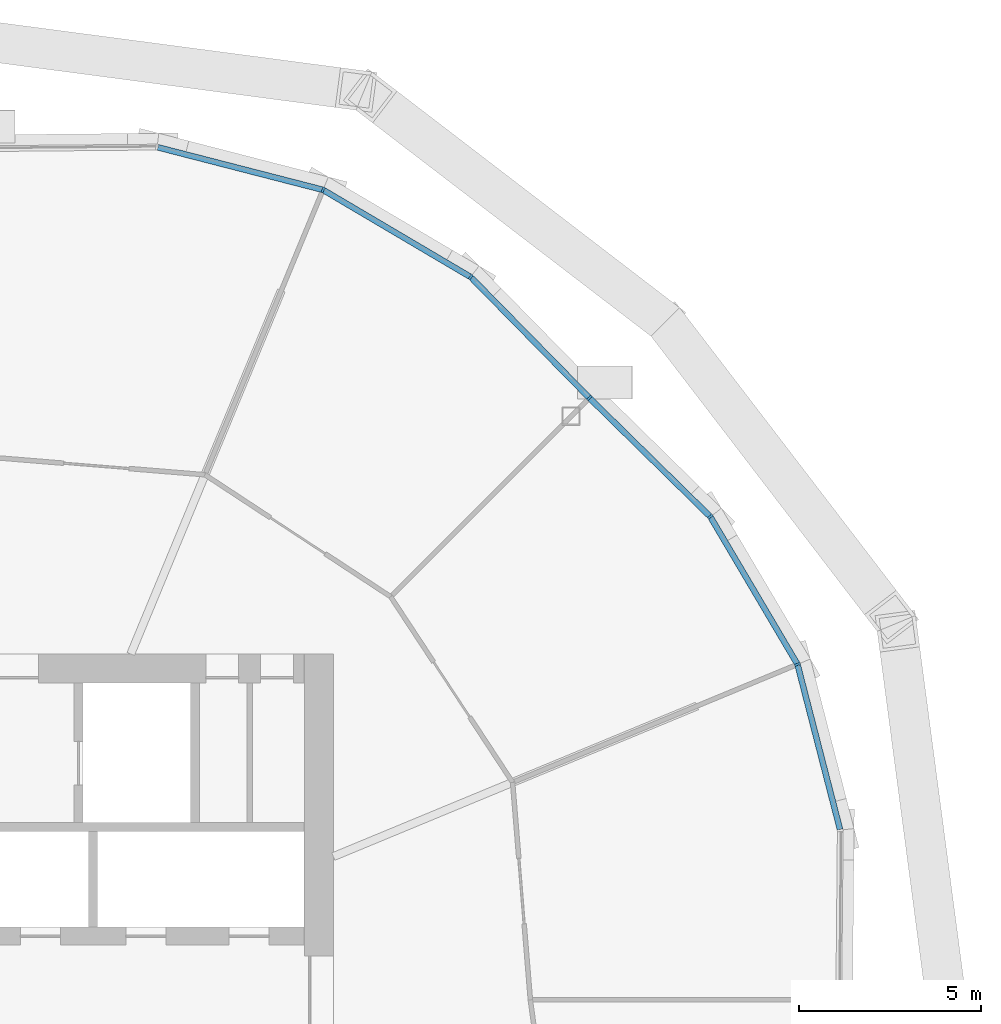
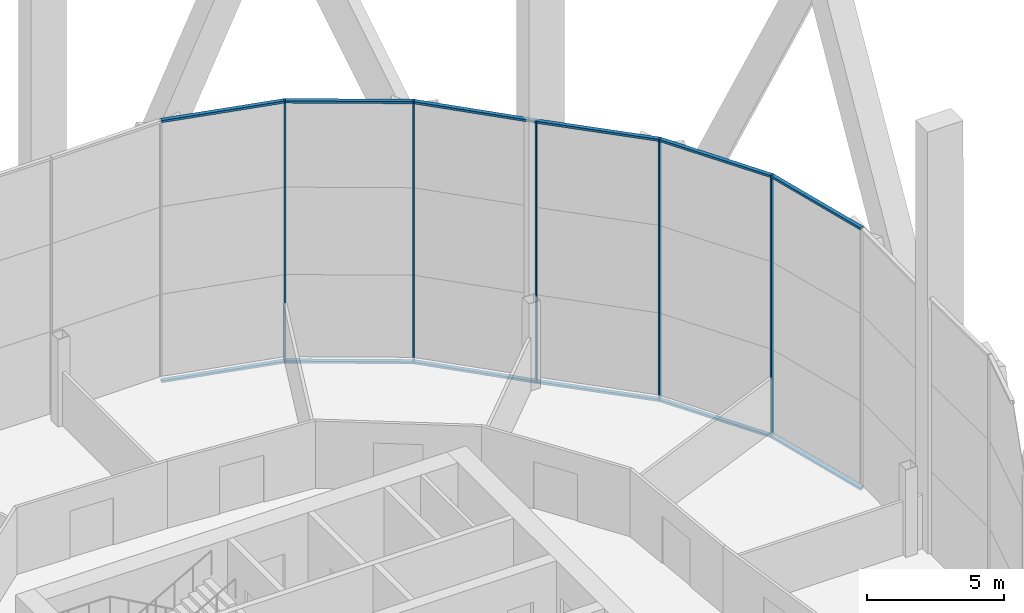
# One storey, part 8 of 26: 17 members, 2 elements without a shape of their own.
"""IFC4 building model written with IfcOpenShell, lengths in metres."""

from ifc_helpers import new_model, si_unit, direction, frame, origin, origin_2d, place, context, subcontext, project, spatial, rectangle, extrude, material, material_profile, profile_set, type_object, element, aggregate, save


model = new_model("IFC4")

# Units and contexts
model_context = context("Model", 3, precision=1e-05, world=origin(), true_north=direction((0.0, 1.0)))
body_context = subcontext(model_context, "Body", "Model", "MODEL_VIEW")
ifc_project = project(units=[si_unit("LENGTHUNIT", "METRE"), si_unit("AREAUNIT", "SQUARE_METRE"), si_unit("VOLUMEUNIT", "CUBIC_METRE"), si_unit("PLANEANGLEUNIT", "RADIAN"), si_unit("MASSUNIT", "GRAM", prefix="KILO")], contexts=[model_context])

# Site, building, storey
site_placement = place(None, origin())
site = spatial("IfcSite", under=ifc_project, at=site_placement, CompositionType="ELEMENT")
building_placement = place(site_placement, origin())
building = spatial("IfcBuilding", under=site, at=building_placement, Name="Ogive Gate Towers", CompositionType="ELEMENT")
storey_placement = place(building_placement, frame((0.0, 0.0, 76.199951171875)))
storey = spatial("IfcBuildingStorey", under=building, at=storey_placement, Name="L17", CompositionType="ELEMENT", Elevation=76.199951171875)

# Curtain wall, members
ifc_material = material(Name="Pale metal aluminium", Category="aluminium")
curtain_wall_type = type_object("IfcCurtainWallType", Name="Tower unitised wall, low zone", PredefinedType="NOTDEFINED", material=ifc_material)
curtain_wall_1_placement = place(storey_placement, origin())
curtain_wall_1 = element("IfcCurtainWall", 1, at=curtain_wall_1_placement, inside=storey, type_object=curtain_wall_type, Name="CW1 T1 ECW01", PredefinedType="NOTDEFINED")
ifc_material_profile_1 = material_profile(ifc_material, rectangle(XDim=0.159912109375, YDim=0.06005859375, at=origin_2d()), Name="60 x 160 aluminium box")
ifc_profile_set_1 = profile_set([ifc_material_profile_1], Name="Pale metal aluminium")
member_type_1 = type_object("IfcMemberType", Name="Tower unitised wall, low zone mullion 60 x 160", PredefinedType="MULLION", material=ifc_profile_set_1)
member_1_placement = place(storey_placement, frame((-13.752197265625, 9.21533203125, -0.300048828125), z_axis=(0.0, 0.0, 1.0), x_axis=(0.923879532511, 0.382683432365, 0.0)))
member_1 = element("IfcMember", 2, at=member_1_placement, type_object=member_type_1, Name="CW1 mullion", PredefinedType="MULLION", context=body_context, shape_type="SweptSolid", body=[
    extrude(rectangle(XDim=0.159912109375, YDim=0.06005859375, at=origin_2d()), origin(), (0.0, 0.0, 1.0), 11.7001953125),
])
member_2_placement = place(storey_placement, frame((-16.1474609375, 13.2724609375, -0.300048828125), z_axis=(0.0, 0.0, 1.0), x_axis=(0.787559238498, 0.616238951915, 0.0)))
member_2 = element("IfcMember", 3, at=member_2_placement, type_object=member_type_1, Name="CW1 mullion", PredefinedType="MULLION", context=body_context, shape_type="SweptSolid", body=[
    extrude(rectangle(XDim=0.159912109375, YDim=0.06005859375, at=origin_2d()), origin(), (0.0, 0.0, 1.0), 11.7001953125),
])
member_3_placement = place(storey_placement, frame((-19.4677734375, 16.531982421875, -0.300048828125), z_axis=(0.0, 0.0, 1.0), x_axis=(0.700585529358, 0.713568438241, 0.0)))
member_3 = element("IfcMember", 4, at=member_3_placement, type_object=member_type_1, Name="CW1 mullion", PredefinedType="MULLION", context=body_context, shape_type="SweptSolid", body=[
    extrude(rectangle(XDim=0.159912109375, YDim=0.06005859375, at=origin_2d()), origin(), (0.0, 0.0, 1.0), 11.7001953125),
])

curtain_wall_2_placement = place(storey_placement, origin())
curtain_wall_2 = element("IfcCurtainWall", 5, at=curtain_wall_2_placement, inside=storey, type_object=curtain_wall_type, Name="CW1 T1 ECW02", PredefinedType="NOTDEFINED")
member_4_placement = place(storey_placement, frame((-22.7275390625, 19.8525390625, -0.300048828125), z_axis=(0.0, 0.0, 1.0), x_axis=(0.616238951915, 0.787559238498, 0.0)))
member_4 = element("IfcMember", 6, at=member_4_placement, type_object=member_type_1, Name="CW1 mullion", PredefinedType="MULLION", context=body_context, shape_type="SweptSolid", body=[
    extrude(rectangle(XDim=0.159912109375, YDim=0.06005859375, at=origin_2d()), origin(), (0.0, 0.0, 1.0), 11.7001953125),
])
member_5_placement = place(storey_placement, frame((-26.78466796875, 22.247802734375, -0.300048828125), z_axis=(0.0, 0.0, 1.0), x_axis=(0.382683432365, 0.923879532511, 0.0)))
member_5 = element("IfcMember", 7, at=member_5_placement, type_object=member_type_1, Name="CW1 mullion", PredefinedType="MULLION", context=body_context, shape_type="SweptSolid", body=[
    extrude(rectangle(XDim=0.159912109375, YDim=0.06005859375, at=origin_2d()), origin(), (0.0, 0.0, 1.0), 11.7001953125),
])

# Member
ifc_material_profile_2 = material_profile(ifc_material, rectangle(XDim=0.159912109375, YDim=0.10009765625, at=origin_2d()), Name="100 x 160 aluminium box")
ifc_profile_set_2 = profile_set([ifc_material_profile_2], Name="Pale metal aluminium")
member_type_2 = type_object("IfcMemberType", Name="Tower unitised wall, low zone transom 100 x 160", PredefinedType="USERDEFINED", material=ifc_profile_set_2)
member_6_placement = place(storey_placement, frame((-12.583984375, 4.679443359375, 11.35009765625), z_axis=(-0.249437215612, 0.968390972422, 0.0), x_axis=(-0.968390972422, -0.249437215612, 0.0)))
member_6 = element("IfcMember", 8, at=member_6_placement, type_object=member_type_2, Name="CW1 transom", ObjectType="TRANSOM", PredefinedType="USERDEFINED", context=body_context, shape_type="SweptSolid", body=[
    extrude(rectangle(XDim=0.159912109375, YDim=0.10009765625, at=origin_2d()), origin(), (0.0, 0.0, 1.0), 4.656982421875),
])

member_7_placement = place(storey_placement, frame((-12.583984375, 4.679443359375, -0.25), z_axis=(-0.249437215612, 0.968390972422, 0.0), x_axis=(-0.968390972422, -0.249437215612, 0.0)))
member_7 = element("IfcMember", 9, at=member_7_placement, type_object=member_type_2, Name="CW1 transom", ObjectType="TRANSOM", PredefinedType="USERDEFINED", context=body_context, shape_type="SweptSolid", body=[
    extrude(rectangle(XDim=0.159912109375, YDim=0.10009765625, at=origin_2d()), origin(), (0.0, 0.0, 1.0), 4.656982421875),
])

member_8_placement = place(storey_placement, frame((-13.76611328125, 9.23876953125, 11.35009765625), z_axis=(-0.508391904902, 0.861125816028, 0.0), x_axis=(-0.861125816028, -0.508391904902, 0.0)))
member_8 = element("IfcMember", 10, at=member_8_placement, type_object=member_type_2, Name="CW1 transom", ObjectType="TRANSOM", PredefinedType="USERDEFINED", context=body_context, shape_type="SweptSolid", body=[
    extrude(rectangle(XDim=0.159912109375, YDim=0.10009765625, at=origin_2d()), origin(), (0.0, 0.0, 1.0), 4.65673828125),
])

member_9_placement = place(storey_placement, frame((-13.76611328125, 9.23876953125, -0.25), z_axis=(-0.508391904902, 0.861125816028, 0.0), x_axis=(-0.861125816028, -0.508391904902, 0.0)))
member_9 = element("IfcMember", 11, at=member_9_placement, type_object=member_type_2, Name="CW1 transom", ObjectType="TRANSOM", PredefinedType="USERDEFINED", context=body_context, shape_type="SweptSolid", body=[
    extrude(rectangle(XDim=0.159912109375, YDim=0.10009765625, at=origin_2d()), origin(), (0.0, 0.0, 1.0), 4.65673828125),
])

member_10_placement = place(storey_placement, frame((-16.1669921875, 13.29150390625, 11.35009765625), z_axis=(-0.713584733888, 0.700568931342, 0.0), x_axis=(-0.700568931342, -0.713584733888, 0.0)))
member_10 = element("IfcMember", 12, at=member_10_placement, type_object=member_type_2, Name="CW1 transom", ObjectType="TRANSOM", PredefinedType="USERDEFINED", context=body_context, shape_type="SweptSolid", body=[
    extrude(rectangle(XDim=0.159912109375, YDim=0.10009765625, at=origin_2d()), origin(), (0.0, 0.0, 1.0), 4.595458984375),
])

member_11_placement = place(storey_placement, frame((-16.1669921875, 13.29150390625, -0.25), z_axis=(-0.713584733888, 0.700568931342, 0.0), x_axis=(-0.700568931342, -0.713584733888, 0.0)))
member_11 = element("IfcMember", 13, at=member_11_placement, type_object=member_type_2, Name="CW1 transom", ObjectType="TRANSOM", PredefinedType="USERDEFINED", context=body_context, shape_type="SweptSolid", body=[
    extrude(rectangle(XDim=0.159912109375, YDim=0.10009765625, at=origin_2d()), origin(), (0.0, 0.0, 1.0), 4.595458984375),
])

aggregate(curtain_wall_1, [member_1, member_6, member_7, member_2, member_8, member_9, member_3, member_10, member_11])

member_12_placement = place(storey_placement, frame((-19.489013671875, 16.5537109375, 11.35009765625), z_axis=(-0.700568931342, 0.713584733888, 0.0), x_axis=(-0.713584733888, -0.700568931342, 0.0)))
member_12 = element("IfcMember", 14, at=member_12_placement, type_object=member_type_2, Name="CW1 transom", ObjectType="TRANSOM", PredefinedType="USERDEFINED", context=body_context, shape_type="SweptSolid", body=[
    extrude(rectangle(XDim=0.159912109375, YDim=0.10009765625, at=origin_2d()), origin(), (0.0, 0.0, 1.0), 4.595458984375),
])

member_13_placement = place(storey_placement, frame((-19.489013671875, 16.5537109375, -0.25), z_axis=(-0.700568931342, 0.713584733888, 0.0), x_axis=(-0.713584733888, -0.700568931342, 0.0)))
member_13 = element("IfcMember", 15, at=member_13_placement, type_object=member_type_2, Name="CW1 transom", ObjectType="TRANSOM", PredefinedType="USERDEFINED", context=body_context, shape_type="SweptSolid", body=[
    extrude(rectangle(XDim=0.159912109375, YDim=0.10009765625, at=origin_2d()), origin(), (0.0, 0.0, 1.0), 4.595458984375),
])

member_14_placement = place(storey_placement, frame((-22.751220703125, 19.866455078125, 11.35009765625), z_axis=(-0.861125816028, 0.508391904902, 0.0), x_axis=(-0.508391904902, -0.861125816028, 0.0)))
member_14 = element("IfcMember", 16, at=member_14_placement, type_object=member_type_2, Name="CW1 transom", ObjectType="TRANSOM", PredefinedType="USERDEFINED", context=body_context, shape_type="SweptSolid", body=[
    extrude(rectangle(XDim=0.159912109375, YDim=0.10009765625, at=origin_2d()), origin(), (0.0, 0.0, 1.0), 4.65673828125),
])

member_15_placement = place(storey_placement, frame((-22.751220703125, 19.866455078125, -0.25), z_axis=(-0.861125816028, 0.508391904902, 0.0), x_axis=(-0.508391904902, -0.861125816028, 0.0)))
member_15 = element("IfcMember", 17, at=member_15_placement, type_object=member_type_2, Name="CW1 transom", ObjectType="TRANSOM", PredefinedType="USERDEFINED", context=body_context, shape_type="SweptSolid", body=[
    extrude(rectangle(XDim=0.159912109375, YDim=0.10009765625, at=origin_2d()), origin(), (0.0, 0.0, 1.0), 4.65673828125),
])

member_16_placement = place(storey_placement, frame((-26.810791015625, 22.25439453125, 11.35009765625), z_axis=(-0.968390972422, 0.249437215612, 0.0), x_axis=(-0.249437215612, -0.968390972422, 0.0)))
member_16 = element("IfcMember", 18, at=member_16_placement, type_object=member_type_2, Name="CW1 transom", ObjectType="TRANSOM", PredefinedType="USERDEFINED", context=body_context, shape_type="SweptSolid", body=[
    extrude(rectangle(XDim=0.159912109375, YDim=0.10009765625, at=origin_2d()), origin(), (0.0, 0.0, 1.0), 4.656982421875),
])

member_17_placement = place(storey_placement, frame((-26.810791015625, 22.25439453125, -0.25), z_axis=(-0.968390972422, 0.249437215612, 0.0), x_axis=(-0.249437215612, -0.968390972422, 0.0)))
member_17 = element("IfcMember", 19, at=member_17_placement, type_object=member_type_2, Name="CW1 transom", ObjectType="TRANSOM", PredefinedType="USERDEFINED", context=body_context, shape_type="SweptSolid", body=[
    extrude(rectangle(XDim=0.159912109375, YDim=0.10009765625, at=origin_2d()), origin(), (0.0, 0.0, 1.0), 4.656982421875),
])

aggregate(curtain_wall_2, [member_4, member_12, member_13, member_5, member_14, member_15, member_16, member_17])

save(model, "model.ifc")
